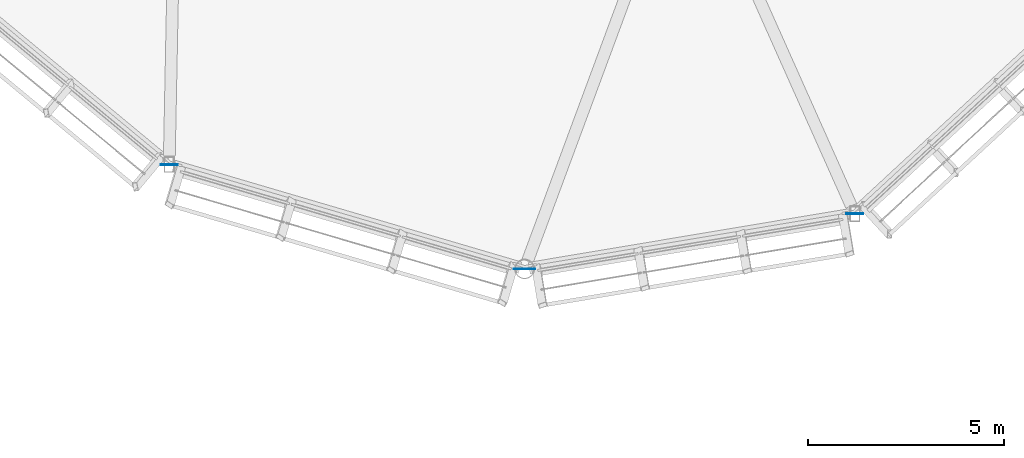
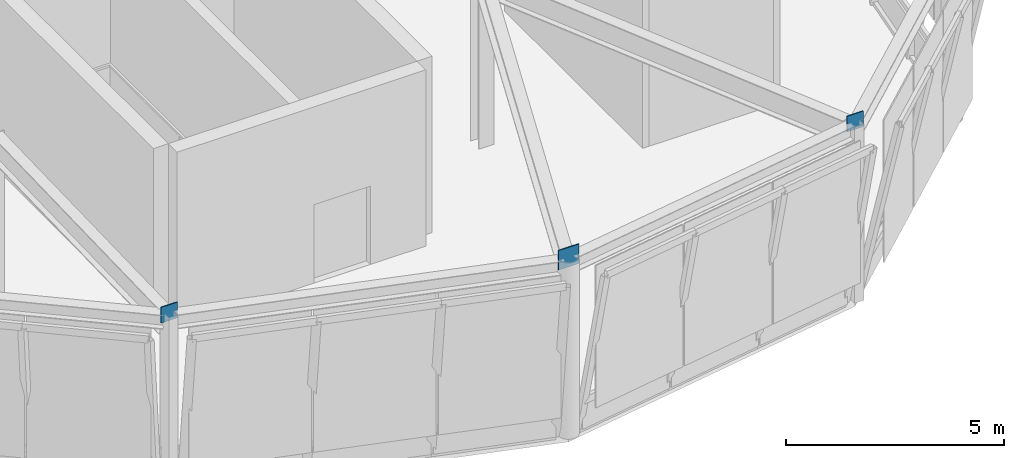
# One storey, part 81 of 113: 3 plates.
"""IFC4 building model written with IfcOpenShell, lengths in metres."""

from ifc_helpers import new_model, si_unit, direction, frame, origin, origin_2d, place, context, subcontext, project, spatial, rectangle, extrude, material, layer, layer_set, type_object, element, save


model = new_model("IFC4")

# Units and contexts
model_context = context("Model", 3, precision=1e-05, world=origin(), true_north=direction((0.0, 1.0)))
body_context = subcontext(model_context, "Body", "Model", "MODEL_VIEW")
ifc_project = project(units=[si_unit("LENGTHUNIT", "METRE"), si_unit("AREAUNIT", "SQUARE_METRE"), si_unit("VOLUMEUNIT", "CUBIC_METRE"), si_unit("PLANEANGLEUNIT", "RADIAN"), si_unit("MASSUNIT", "GRAM", prefix="KILO")], contexts=[model_context])

# Site, building, storey
site_placement = place(None, origin())
site = spatial("IfcSite", under=ifc_project, at=site_placement, CompositionType="ELEMENT")
building_placement = place(site_placement, origin())
building = spatial("IfcBuilding", under=site, at=building_placement, Name="Linyun Crest Stadium", CompositionType="ELEMENT")
storey_placement = place(building_placement, frame((0.0, 0.0, 26.39990234375)))
storey = spatial("IfcBuildingStorey", under=building, at=storey_placement, Name="L06", CompositionType="ELEMENT", Elevation=26.39990234375)

# Plates
ifc_material = material(Name="Steel Q420C", Category="steel")
ifc_layer = layer(ifc_material, 0.02392578125)
ifc_layer_set = layer_set([ifc_layer], Name="Steel Q420C")
plate_type = type_object("IfcPlateType", Name="EP02", PredefinedType="USERDEFINED", material=ifc_layer_set)
plate_1_placement = place(storey_placement, frame((-80.166015625, 72.0869140625, 4.72509765625), z_axis=(0.0, 0.0, 1.0), x_axis=(1.0, 0.0, 0.0)))
element("IfcPlate", 1, at=plate_1_placement, inside=storey, type_object=plate_type, Name="Hollow section cap end plate EP02 388", ObjectType="END PLATE", PredefinedType="USERDEFINED", context=body_context, shape_type="SweptSolid", body=[
    extrude(rectangle(XDim=0.43994140625, YDim=0.02392578125, at=origin_2d()), origin(), (0.0, 0.0, 1.0), 0.43994140625),
])
plate_2_placement = place(storey_placement, frame((-71.10595703125, 69.424072265625, 4.6708984375), z_axis=(0.0, 0.0, 1.0), x_axis=(1.0, 0.0, 0.0)))
element("IfcPlate", 2, at=plate_2_placement, inside=storey, type_object=plate_type, Name="Hollow section cap end plate EP02 393", ObjectType="END PLATE", PredefinedType="USERDEFINED", context=body_context, shape_type="SweptSolid", body=[
    extrude(rectangle(XDim=0.548095703125, YDim=0.02392578125, at=origin_2d()), origin(), (0.0, 0.0, 1.0), 0.548095703125),
])
plate_3_placement = place(storey_placement, frame((-62.68701171875, 70.833984375, 4.72509765625), z_axis=(0.0, 0.0, 1.0), x_axis=(1.0, 0.0, 0.0)))
element("IfcPlate", 3, at=plate_3_placement, inside=storey, type_object=plate_type, Name="Hollow section cap end plate EP02 398", ObjectType="END PLATE", PredefinedType="USERDEFINED", context=body_context, shape_type="SweptSolid", body=[
    extrude(rectangle(XDim=0.43994140625, YDim=0.02392578125, at=origin_2d()), origin(), (0.0, 0.0, 1.0), 0.43994140625),
])

save(model, "model.ifc")
